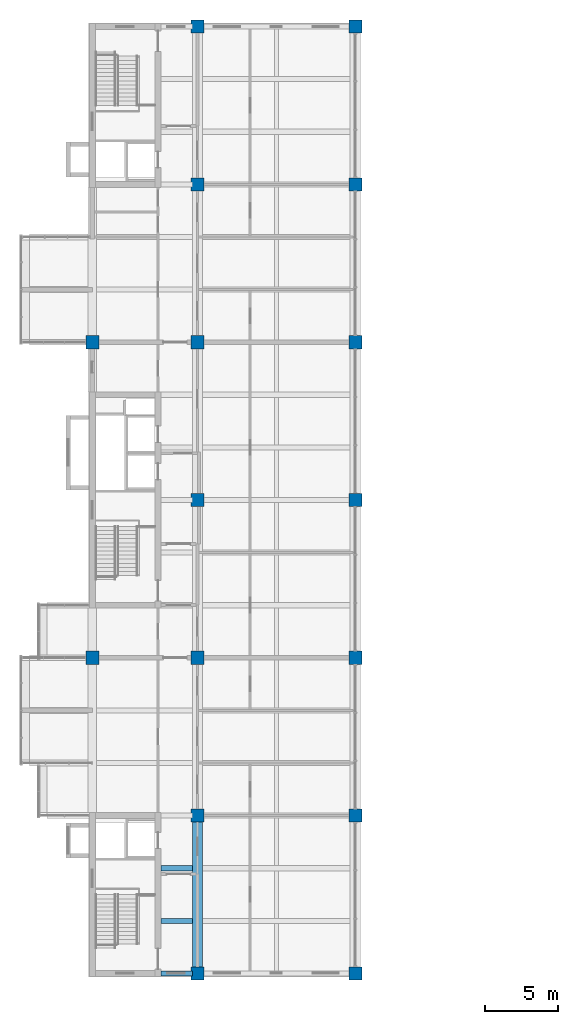
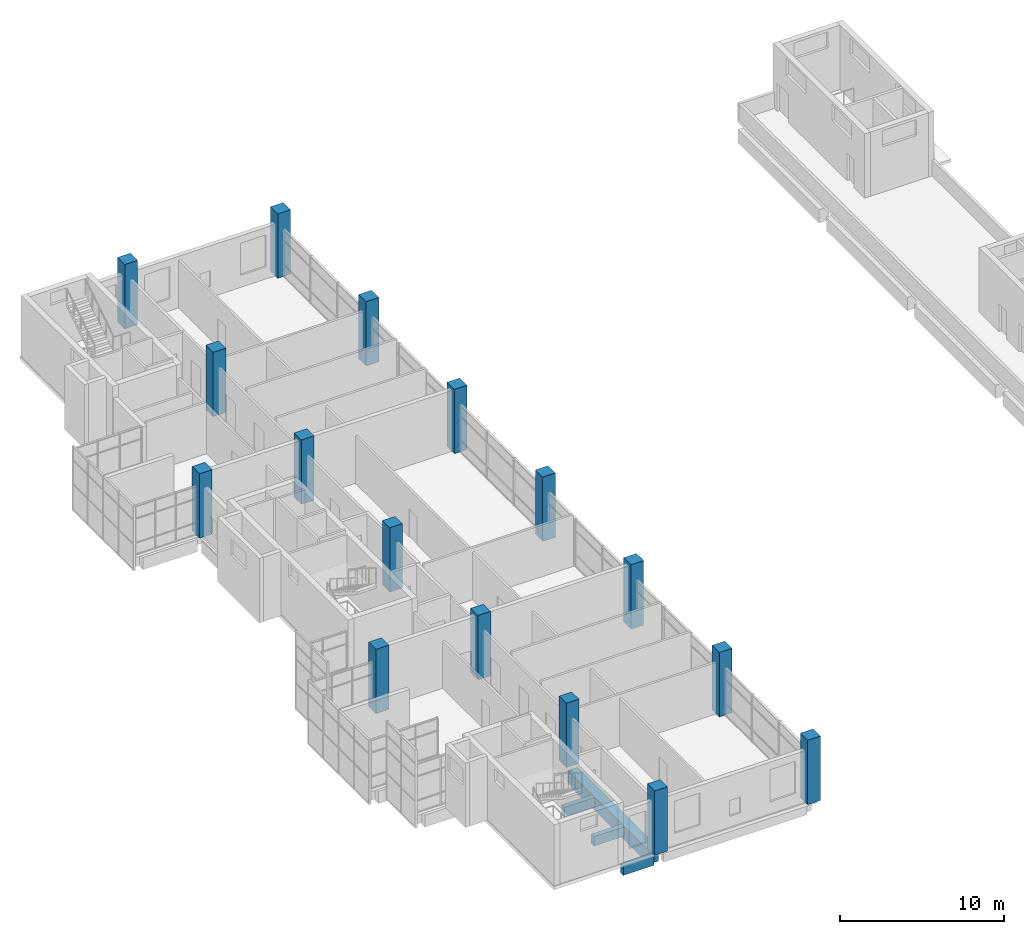
# One storey, part 1 of 23: 16 columns, 4 beams.
"""IFC4 building model written with IfcOpenShell, lengths in metres."""

from ifc_helpers import new_model, si_unit, direction, frame, origin, origin_2d, place, context, subcontext, project, spatial, rectangle, extrude, material, material_profile, profile_set, type_object, element, save


model = new_model("IFC4")

# Units and contexts
model_context = context("Model", 3, precision=1e-05, world=origin(), true_north=direction((0.0, 1.0)))
body_context = subcontext(model_context, "Body", "Model", "MODEL_VIEW")
ifc_project = project(units=[si_unit("LENGTHUNIT", "METRE"), si_unit("AREAUNIT", "SQUARE_METRE"), si_unit("VOLUMEUNIT", "CUBIC_METRE"), si_unit("PLANEANGLEUNIT", "RADIAN"), si_unit("MASSUNIT", "GRAM", prefix="KILO")], contexts=[model_context])

# Site, building, storey
site_placement = place(None, origin())
site = spatial("IfcSite", under=ifc_project, at=site_placement, CompositionType="ELEMENT")
building_placement = place(site_placement, origin())
building = spatial("IfcBuilding", under=site, at=building_placement, Name="Basin Gate Institute", CompositionType="ELEMENT")
storey_placement = place(building_placement, frame((0.0, 0.0, 46.199951171875)))
storey = spatial("IfcBuildingStorey", under=building, at=storey_placement, Name="L09", CompositionType="ELEMENT", Elevation=46.199951171875)

# Columns
ifc_material_1 = material(Name="Concrete 50 MPa", Category="concrete")
ifc_material_profile_1 = material_profile(ifc_material_1, rectangle(XDim=0.89990234375, YDim=0.89990234375, at=origin_2d()), Name="Column C3 900 x 900")
ifc_profile_set_1 = profile_set([ifc_material_profile_1], Name="Concrete 50 MPa")
column_type = type_object("IfcColumnType", Name="Column C3 R120", PredefinedType="COLUMN", material=ifc_profile_set_1)
for number, where, z_axis, x_axis, name in (
    (1, (61.199951171875, 56.699951171875, 0.0), (0.0, 0.0, 1.0), (1.0, 0.0, 0.0), "COL/L09/4C"),
    (2, (61.199951171875, 78.300048828125, 0.0), (0.0, 0.0, 1.0), (1.0, 0.0, 0.0), "COL/L09/4E"),
    (3, (68.39990234375, 35.10009765625, 0.0), (0.0, 0.0, 1.0), (1.0, 0.0, 0.0), "COL/L09/5A"),
    (4, (68.39990234375, 45.89990234375, 0.0), (0.0, 0.0, 1.0), (1.0, 0.0, 0.0), "COL/L09/5B"),
    (5, (68.39990234375, 56.699951171875, 0.0), (0.0, 0.0, 1.0), (1.0, 0.0, 0.0), "COL/L09/5C"),
    (6, (68.39990234375, 67.5, 0.0), (0.0, 0.0, 1.0), (1.0, 0.0, 0.0), "COL/L09/5D"),
    (7, (68.39990234375, 78.300048828125, 0.0), (0.0, 0.0, 1.0), (1.0, 0.0, 0.0), "COL/L09/5E"),
    (8, (68.39990234375, 89.10009765625, 0.0), (0.0, 0.0, 1.0), (1.0, 0.0, 0.0), "COL/L09/5F"),
    (9, (68.39990234375, 99.89990234375, 0.0), (0.0, 0.0, 1.0), (1.0, 0.0, 0.0), "COL/L09/5G"),
    (10, (79.199951171875, 35.10009765625, 0.0), (0.0, 0.0, 1.0), (1.0, 0.0, 0.0), "COL/L09/6A"),
    (11, (79.199951171875, 45.89990234375, 0.0), (0.0, 0.0, 1.0), (1.0, 0.0, 0.0), "COL/L09/6B"),
    (12, (79.199951171875, 56.699951171875, 0.0), (0.0, 0.0, 1.0), (1.0, 0.0, 0.0), "COL/L09/6C"),
    (13, (79.199951171875, 67.5, 0.0), (0.0, 0.0, 1.0), (1.0, 0.0, 0.0), "COL/L09/6D"),
    (14, (79.199951171875, 78.300048828125, 0.0), (0.0, 0.0, 1.0), (1.0, 0.0, 0.0), "COL/L09/6E"),
    (15, (79.199951171875, 89.10009765625, 0.0), (0.0, 0.0, 1.0), (1.0, 0.0, 0.0), "COL/L09/6F"),
    (16, (79.199951171875, 99.89990234375, 0.0), (0.0, 0.0, 1.0), (1.0, 0.0, 0.0), "COL/L09/6G"),
):
    element("IfcColumn", number, at=place(storey_placement, frame(where, z_axis=z_axis, x_axis=x_axis)), inside=storey, type_object=column_type, material=ifc_profile_set_1, Name=name, PredefinedType="COLUMN", context=body_context, shape_type="SweptSolid", body=[
        extrude(rectangle(XDim=0.89990234375, YDim=0.89990234375, at=origin_2d()), origin(), (0.0, 0.0, 1.0), 4.800048828125),
    ])

# Beams
ifc_material_2 = material(Name="Concrete 40 MPa", Category="concrete")
ifc_material_profile_2 = material_profile(ifc_material_2, rectangle(XDim=0.35009765625, YDim=0.699951171875, at=origin_2d()), Name="Beam B1 350 x 700")
ifc_profile_set_2 = profile_set([ifc_material_profile_2], Name="Concrete 40 MPa")
beam_type_1 = type_object("IfcBeamType", Name="Beam B1 R120", PredefinedType="BEAM", material=ifc_profile_set_2)
for number, where, z_axis, x_axis, name in (
    (17, (65.89990234375, 35.10009765625, -0.599853515625), (1.0, 0.0, 0.0), (0.0, 1.0, 0.0), "BEAM/L09/W/CORR/01"),
    (18, (65.89990234375, 38.699951171875, -0.599853515625), (1.0, 0.0, 0.0), (0.0, 1.0, 0.0), "BEAM/L09/W/CORR/02"),
    (19, (65.89990234375, 42.300048828125, -0.599853515625), (1.0, 0.0, 0.0), (0.0, 1.0, 0.0), "BEAM/L09/W/CORR/03"),
):
    element("IfcBeam", number, at=place(storey_placement, frame(where, z_axis=z_axis, x_axis=x_axis)), inside=storey, type_object=beam_type_1, material=ifc_profile_set_2, Name=name, PredefinedType="BEAM", context=body_context, shape_type="SweptSolid", body=[
        extrude(rectangle(XDim=0.35009765625, YDim=0.699951171875, at=origin_2d()), origin(), (0.0, 0.0, 1.0), 2.150146484375),
    ])
ifc_material_3 = material(Name="Concrete 50 MPa", Category="concrete")
ifc_material_profile_3 = material_profile(ifc_material_3, rectangle(XDim=0.699951171875, YDim=1.0, at=origin_2d()), Name="Girder G1 700 x 1000")
ifc_profile_set_3 = profile_set([ifc_material_profile_3], Name="Concrete 50 MPa")
beam_type_2 = type_object("IfcBeamType", Name="Girder G1 R120", PredefinedType="BEAM", material=ifc_profile_set_3)
beam_placement = place(storey_placement, frame((68.39990234375, 35.550048828125, -0.75), z_axis=(0.0, 1.0, 0.0), x_axis=(-1.0, 0.0, 0.0)))
element("IfcBeam", 20, at=beam_placement, inside=storey, type_object=beam_type_2, material=ifc_profile_set_3, Name="GIR/L09/W5/1", PredefinedType="BEAM", context=body_context, shape_type="SweptSolid", body=[
    extrude(rectangle(XDim=0.699951171875, YDim=1.0, at=origin_2d()), origin(), (0.0, 0.0, 1.0), 9.89990234375),
])

save(model, "model.ifc")
